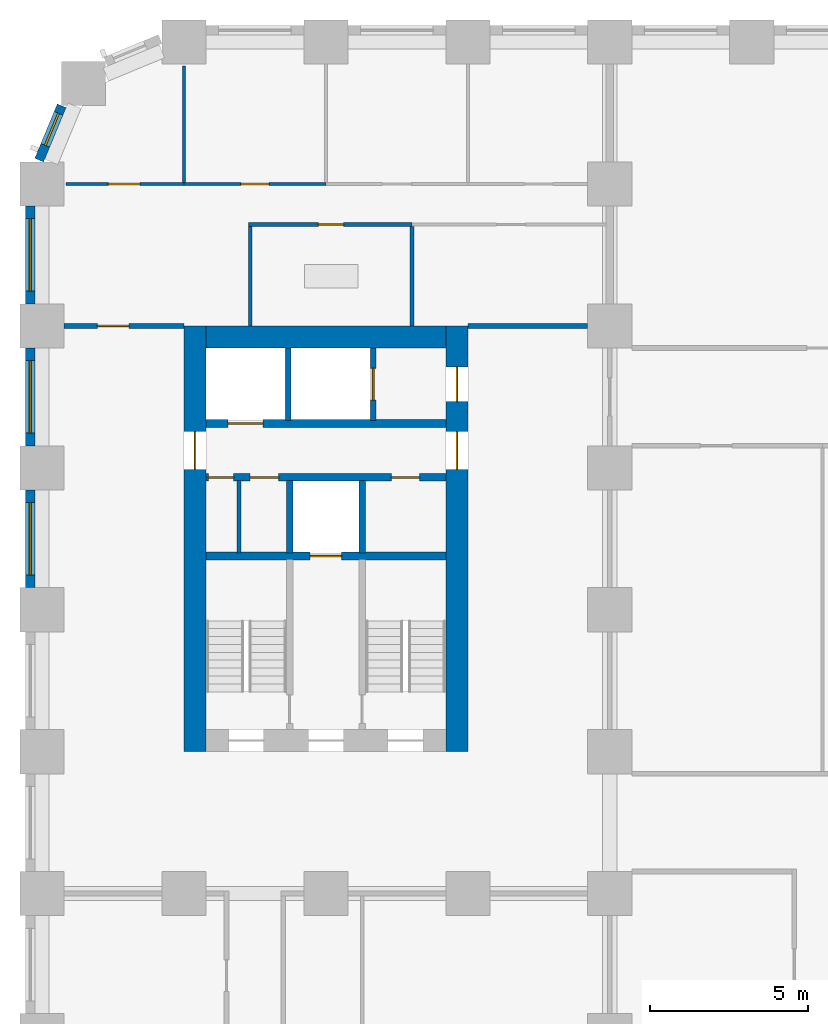
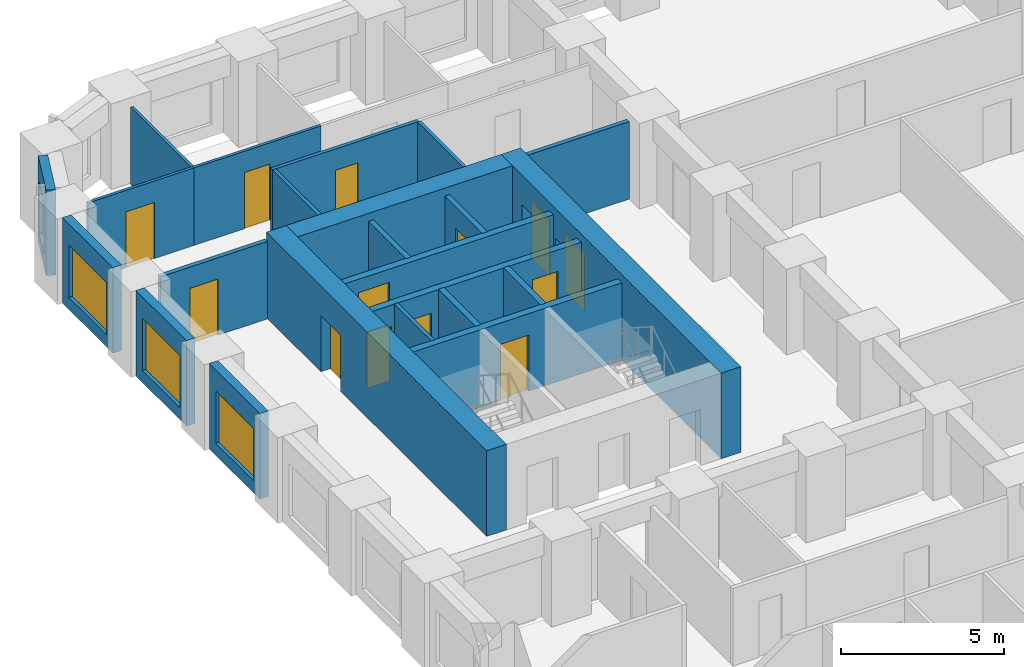
# One storey, part 6 of 12: 23 walls, 13 doors, 4 windows, 17 openings.
"""IFC4 building model written with IfcOpenShell, lengths in metres."""

from ifc_helpers import new_model, si_unit, direction, frame, frame_2d, origin, place, context, subcontext, project, spatial, rectangle, extrude, material, layer, layer_set, type_object, element, fill, save


model = new_model("IFC4")

# Units and contexts
model_context = context("Model", 3, precision=1e-05, world=origin(), true_north=direction((0.0, 1.0)))
body_context = subcontext(model_context, "Body", "Model", "MODEL_VIEW")
ifc_project = project(units=[si_unit("LENGTHUNIT", "METRE"), si_unit("AREAUNIT", "SQUARE_METRE"), si_unit("VOLUMEUNIT", "CUBIC_METRE"), si_unit("PLANEANGLEUNIT", "RADIAN"), si_unit("MASSUNIT", "GRAM", prefix="KILO")], contexts=[model_context])

# Site, building, storey
site_placement = place(None, origin())
site = spatial("IfcSite", under=ifc_project, at=site_placement, CompositionType="ELEMENT")
building_placement = place(site_placement, origin())
building = spatial("IfcBuilding", under=site, at=building_placement, Name="Girih Gate Residences", CompositionType="ELEMENT")
storey_placement = place(building_placement, frame((0.0, 0.0, 30.39990234375)))
storey = spatial("IfcBuildingStorey", under=building, at=storey_placement, Name="L06", CompositionType="ELEMENT", Elevation=30.39990234375)

# Wall, opening, door
ifc_material_1 = material(Name="Gypsum board on steel studs", Category="steel")
ifc_layer_1 = layer(ifc_material_1, 0.14990234375)
ifc_layer_set_1 = layer_set([ifc_layer_1], Name="Compartment wall 150 mm")
wall_type_1 = type_object("IfcWallType", Name="Compartment wall 150 mm", PredefinedType="PARTITIONING", material=ifc_layer_set_1)
wall_1_placement = place(storey_placement, frame((0.699951171875, 40.5, 0.0), z_axis=(0.0, 0.0, 1.0), x_axis=(1.0, 0.0, 0.0)))
wall_1 = element("IfcWall", 1, at=wall_1_placement, inside=storey, type_object=wall_type_1, Name="L06 partition", PredefinedType="PARTITIONING", context=body_context, shape_type="SweptSolid", body=[
    extrude(rectangle(XDim=3.800048828125, YDim=0.14990234375, at=frame_2d((1.89990234375, 0.0))), origin(), (0.0, 0.0, 1.0), 2.900146484375),
])
opening_1_placement = place(wall_1_placement, frame((1.050048828125, 0.0, 0.0)))
opening_1 = element("IfcOpeningElement", 2, at=opening_1_placement, cuts=wall_1, Name="Opening A06-014", PredefinedType="OPENING", context=body_context, shape_type="SweptSolid", body=[
    extrude(rectangle(XDim=1.0, YDim=2.10009765625, at=frame_2d((0.5, 1.050048828125))), frame((0.0, 0.0849609375, 0.0), z_axis=(0.0, -1.0, 0.0), x_axis=(1.0, 0.0, 0.0)), (0.0, 0.0, 1.0), 0.169921875),
])
ifc_material_2 = material(Name="Timber, fire-rated core", Category="wood")
door_type_1 = type_object("IfcDoorType", Name="Flat entrance door 1000x2100 FD30S", OperationType="NOTDEFINED", PredefinedType="DOOR", material=ifc_material_2)
door_1_placement = place(opening_1_placement, origin())
door_1 = element("IfcDoor", 3, at=door_1_placement, inside=storey, type_object=door_type_1, Name="Door A06-014", OperationType="SINGLE_SWING_LEFT", OverallHeight=2.10009765625, OverallWidth=1.0, PredefinedType="DOOR", context=body_context, shape_type="SweptSolid", body=[
    extrude(rectangle(XDim=1.0, YDim=2.10009765625, at=frame_2d((0.5, 1.050048828125))), frame((0.0, 0.02490234375, 0.0), z_axis=(0.0, -1.0, 0.0), x_axis=(1.0, 0.0, 0.0)), (0.0, 0.0, 1.0), 0.050048828125),
])
fill(opening_1, door_1)

# Walls
wall_2_placement = place(storey_placement, frame((13.5, 40.5, 0.0), z_axis=(0.0, 0.0, 1.0), x_axis=(1.0, 0.0, 0.0)))
element("IfcWall", 4, at=wall_2_placement, inside=storey, type_object=wall_type_1, Name="L06 partition", PredefinedType="PARTITIONING", context=body_context, shape_type="SweptSolid", body=[
    extrude(rectangle(XDim=3.800048828125, YDim=0.14990234375, at=frame_2d((1.89990234375, 0.0))), origin(), (0.0, 0.0, 1.0), 2.900146484375),
])
ifc_material_3 = material(Name="Concrete C60/75", Category="concrete")
ifc_layer_2 = layer(ifc_material_3, 0.699951171875)
ifc_layer_set_2 = layer_set([ifc_layer_2], Name="Core wall RC 700 Concrete C60/75")
wall_type_2 = type_object("IfcWallType", Name="Core wall RC 700 Concrete C60/75", PredefinedType="SOLIDWALL", material=ifc_layer_set_2)
wall_3_placement = place(storey_placement, frame((5.199951171875, 40.14990234375, 0.0), z_axis=(0.0, 0.0, 1.0), x_axis=(1.0, 0.0, 0.0)))
element("IfcWall", 5, at=wall_3_placement, inside=storey, type_object=wall_type_2, Name="Core wall W-N L06", PredefinedType="SOLIDWALL", context=body_context, shape_type="SweptSolid", body=[
    extrude(rectangle(XDim=7.60009765625, YDim=0.699951171875, at=frame_2d((3.800048828125, 0.0))), origin(), (0.0, 0.0, 1.0), 3.2001953125),
])

# Wall, opening, door
wall_4_placement = place(storey_placement, frame((4.85009765625, 27.0, 0.0), z_axis=(0.0, 0.0, 1.0), x_axis=(0.0, 1.0, 0.0)))
wall_4 = element("IfcWall", 6, at=wall_4_placement, inside=storey, type_object=wall_type_2, Name="Core wall W-W L06", PredefinedType="SOLIDWALL", context=body_context, shape_type="SweptSolid", body=[
    extrude(rectangle(XDim=13.5, YDim=0.699951171875, at=frame_2d((6.75, 0.0))), origin(), (0.0, 0.0, 1.0), 3.2001953125),
])
opening_2_placement = place(wall_4_placement, frame((8.949951171875, 0.0, 0.0)))
opening_2 = element("IfcOpeningElement", 7, at=opening_2_placement, cuts=wall_4, Name="Opening D-L06-W-013", PredefinedType="OPENING", context=body_context, shape_type="SweptSolid", body=[
    extrude(rectangle(XDim=1.199951171875, YDim=2.10009765625, at=frame_2d((0.60009765625, 1.050048828125))), frame((0.0, 0.35986328125, 0.0), z_axis=(0.0, -1.0, 0.0), x_axis=(1.0, 0.0, 0.0)), (0.0, 0.0, 1.0), 0.719970703125),
])
ifc_material_4 = material(Name="Painted steel, fire-resisting", Category="steel")
door_type_2 = type_object("IfcDoorType", Name="Fire door 1200x2100", OperationType="SINGLE_SWING_LEFT", PredefinedType="DOOR", material=ifc_material_4)
door_2_placement = place(opening_2_placement, origin())
door_2 = element("IfcDoor", 8, at=door_2_placement, inside=storey, type_object=door_type_2, Name="L06 W core door ll-w", OperationType="SINGLE_SWING_LEFT", OverallHeight=2.10009765625, OverallWidth=1.199951171875, PredefinedType="DOOR", context=body_context, shape_type="SweptSolid", body=[
    extrude(rectangle(XDim=1.199951171875, YDim=2.10009765625, at=frame_2d((0.60009765625, 1.050048828125))), frame((0.0, 0.02490234375, 0.0), z_axis=(0.0, -1.0, 0.0), x_axis=(1.0, 0.0, 0.0)), (0.0, 0.0, 1.0), 0.050048828125),
])
fill(opening_2, door_2)

# Wall, openings, doors
wall_5_placement = place(storey_placement, frame((13.14990234375, 27.0, 0.0), z_axis=(0.0, 0.0, 1.0), x_axis=(0.0, 1.0, 0.0)))
wall_5 = element("IfcWall", 9, at=wall_5_placement, inside=storey, type_object=wall_type_2, Name="Core wall W-E L06", PredefinedType="SOLIDWALL", context=body_context, shape_type="SweptSolid", body=[
    extrude(rectangle(XDim=13.5, YDim=0.699951171875, at=frame_2d((6.75, 0.0))), origin(), (0.0, 0.0, 1.0), 3.2001953125),
])
opening_3_placement = place(wall_5_placement, frame((11.10009765625, 0.0, 0.0)))
opening_3 = element("IfcOpeningElement", 10, at=opening_3_placement, cuts=wall_5, Name="Opening D-L06-W-012", PredefinedType="OPENING", context=body_context, shape_type="SweptSolid", body=[
    extrude(rectangle(XDim=1.10009765625, YDim=2.10009765625, at=frame_2d((0.550048828125, 1.050048828125))), frame((0.0, 0.35986328125, 0.0), z_axis=(0.0, -1.0, 0.0), x_axis=(1.0, 0.0, 0.0)), (0.0, 0.0, 1.0), 0.719970703125),
])
opening_4_placement = place(wall_5_placement, frame((8.949951171875, 0.0, 0.0)))
opening_4 = element("IfcOpeningElement", 11, at=opening_4_placement, cuts=wall_5, Name="Opening D-L06-W-014", PredefinedType="OPENING", context=body_context, shape_type="SweptSolid", body=[
    extrude(rectangle(XDim=1.199951171875, YDim=2.10009765625, at=frame_2d((0.60009765625, 1.050048828125))), frame((0.0, 0.35986328125, 0.0), z_axis=(0.0, -1.0, 0.0), x_axis=(1.0, 0.0, 0.0)), (0.0, 0.0, 1.0), 0.719970703125),
])
door_type_3 = type_object("IfcDoorType", Name="Fire door 1100x2100", OperationType="SINGLE_SWING_LEFT", PredefinedType="DOOR", material=ifc_material_4)
door_3_placement = place(opening_3_placement, origin())
door_3 = element("IfcDoor", 12, at=door_3_placement, inside=storey, type_object=door_type_3, Name="L06 W core door ffl2-e", OperationType="SINGLE_SWING_LEFT", OverallHeight=2.10009765625, OverallWidth=1.10009765625, PredefinedType="DOOR", context=body_context, shape_type="SweptSolid", body=[
    extrude(rectangle(XDim=1.10009765625, YDim=2.10009765625, at=frame_2d((0.550048828125, 1.050048828125))), frame((0.0, 0.02490234375, 0.0), z_axis=(0.0, -1.0, 0.0), x_axis=(1.0, 0.0, 0.0)), (0.0, 0.0, 1.0), 0.050048828125),
])
fill(opening_3, door_3)
door_4_placement = place(opening_4_placement, origin())
door_4 = element("IfcDoor", 13, at=door_4_placement, inside=storey, type_object=door_type_2, Name="L06 W core door ll-e", OperationType="SINGLE_SWING_LEFT", OverallHeight=2.10009765625, OverallWidth=1.199951171875, PredefinedType="DOOR", context=body_context, shape_type="SweptSolid", body=[
    extrude(rectangle(XDim=1.199951171875, YDim=2.10009765625, at=frame_2d((0.60009765625, 1.050048828125))), frame((0.0, 0.02490234375, 0.0), z_axis=(0.0, -1.0, 0.0), x_axis=(1.0, 0.0, 0.0)), (0.0, 0.0, 1.0), 0.050048828125),
])
fill(opening_4, door_4)

# Wall, opening, door
ifc_material_5 = material(Name="Concrete C40/50", Category="concrete")
ifc_layer_3 = layer(ifc_material_5, 0.25)
ifc_layer_set_3 = layer_set([ifc_layer_3], Name="Lift shaft wall 250")
wall_type_3 = type_object("IfcWallType", Name="Lift shaft wall 250", PredefinedType="SOLIDWALL", material=ifc_layer_set_3)
wall_6_placement = place(storey_placement, frame((5.199951171875, 33.199951171875, 0.0), z_axis=(0.0, 0.0, 1.0), x_axis=(1.0, 0.0, 0.0)))
wall_6 = element("IfcWall", 14, at=wall_6_placement, inside=storey, type_object=wall_type_3, Name="L06 W core wall H1", PredefinedType="SOLIDWALL", context=body_context, shape_type="SweptSolid", body=[
    extrude(rectangle(XDim=7.60009765625, YDim=0.25, at=frame_2d((3.800048828125, 0.0))), origin(), (0.0, 0.0, 1.0), 2.900146484375),
])
opening_5_placement = place(wall_6_placement, frame((3.300048828125, 0.0, 0.0)))
opening_5 = element("IfcOpeningElement", 15, at=opening_5_placement, cuts=wall_6, Name="Opening D-L06-W-005", PredefinedType="OPENING", context=body_context, shape_type="SweptSolid", body=[
    extrude(rectangle(XDim=1.0, YDim=2.10009765625, at=frame_2d((0.5, 1.050048828125))), frame((0.0, 0.135009765625, 0.0), z_axis=(0.0, -1.0, 0.0), x_axis=(1.0, 0.0, 0.0)), (0.0, 0.0, 1.0), 0.27001953125),
])
ifc_material_6 = material(Name="Stainless steel, fire-resisting", Category="steel")
door_type_4 = type_object("IfcDoorType", Name="Firefighting lift landing door 1000x2100", OperationType="SLIDING_TO_LEFT", PredefinedType="DOOR", material=ifc_material_6)
door_5_placement = place(opening_5_placement, origin())
door_5 = element("IfcDoor", 16, at=door_5_placement, inside=storey, type_object=door_type_4, Name="L06 lift FF-W landing door", OperationType="SLIDING_TO_LEFT", OverallHeight=2.10009765625, OverallWidth=1.0, PredefinedType="DOOR", context=body_context, shape_type="SweptSolid", body=[
    extrude(rectangle(XDim=1.0, YDim=2.10009765625, at=frame_2d((0.5, 1.050048828125))), frame((0.0, 0.02490234375, 0.0), z_axis=(0.0, -1.0, 0.0), x_axis=(1.0, 0.0, 0.0)), (0.0, 0.0, 1.0), 0.050048828125),
])
fill(opening_5, door_5)

# Wall, openings, doors
wall_7_placement = place(storey_placement, frame((5.199951171875, 35.699951171875, 0.0), z_axis=(0.0, 0.0, 1.0), x_axis=(1.0, 0.0, 0.0)))
wall_7 = element("IfcWall", 17, at=wall_7_placement, inside=storey, type_object=wall_type_3, Name="L06 W core wall H2", PredefinedType="SOLIDWALL", context=body_context, shape_type="SweptSolid", body=[
    extrude(rectangle(XDim=7.60009765625, YDim=0.25, at=frame_2d((3.800048828125, 0.0))), origin(), (0.0, 0.0, 1.0), 2.900146484375),
])
opening_6_placement = place(wall_7_placement, frame((0.074951171875, 0.0, 0.0)))
opening_6 = element("IfcOpeningElement", 18, at=opening_6_placement, cuts=wall_7, Name="Opening D-L06-W-006", PredefinedType="OPENING", context=body_context, shape_type="SweptSolid", body=[
    extrude(rectangle(XDim=0.800048828125, YDim=2.10009765625, at=frame_2d((0.39990234375, 1.050048828125))), frame((0.0, 0.135009765625, 0.0), z_axis=(0.0, -1.0, 0.0), x_axis=(1.0, 0.0, 0.0)), (0.0, 0.0, 1.0), 0.27001953125),
])
opening_7_placement = place(wall_7_placement, frame((1.39990234375, 0.0, 0.0)))
opening_7 = element("IfcOpeningElement", 19, at=opening_7_placement, cuts=wall_7, Name="Opening D-L06-W-007", PredefinedType="OPENING", context=body_context, shape_type="SweptSolid", body=[
    extrude(rectangle(XDim=0.89990234375, YDim=2.10009765625, at=frame_2d((0.449951171875, 1.050048828125))), frame((0.0, 0.135009765625, 0.0), z_axis=(0.0, -1.0, 0.0), x_axis=(1.0, 0.0, 0.0)), (0.0, 0.0, 1.0), 0.27001953125),
])
opening_8_placement = place(wall_7_placement, frame((5.875, 0.0, 0.0)))
opening_8 = element("IfcOpeningElement", 20, at=opening_8_placement, cuts=wall_7, Name="Opening D-L06-W-008", PredefinedType="OPENING", context=body_context, shape_type="SweptSolid", body=[
    extrude(rectangle(XDim=0.89990234375, YDim=2.10009765625, at=frame_2d((0.449951171875, 1.050048828125))), frame((0.0, 0.135009765625, 0.0), z_axis=(0.0, -1.0, 0.0), x_axis=(1.0, 0.0, 0.0)), (0.0, 0.0, 1.0), 0.27001953125),
])
door_type_5 = type_object("IfcDoorType", Name="Fire door 800x2100", OperationType="SINGLE_SWING_LEFT", PredefinedType="DOOR", material=ifc_material_4)
door_6_placement = place(opening_6_placement, origin())
door_6 = element("IfcDoor", 21, at=door_6_placement, inside=storey, type_object=door_type_5, Name="L06 W comms room door", OperationType="SINGLE_SWING_LEFT", OverallHeight=2.10009765625, OverallWidth=0.800048828125, PredefinedType="DOOR", context=body_context, shape_type="SweptSolid", body=[
    extrude(rectangle(XDim=0.800048828125, YDim=2.10009765625, at=frame_2d((0.39990234375, 1.050048828125))), frame((0.0, 0.02490234375, 0.0), z_axis=(0.0, -1.0, 0.0), x_axis=(1.0, 0.0, 0.0)), (0.0, 0.0, 1.0), 0.050048828125),
])
fill(opening_6, door_6)
door_type_6 = type_object("IfcDoorType", Name="Fire door 900x2100", OperationType="SINGLE_SWING_LEFT", PredefinedType="DOOR", material=ifc_material_4)
door_7_placement = place(opening_7_placement, origin())
door_7 = element("IfcDoor", 22, at=door_7_placement, inside=storey, type_object=door_type_6, Name="L06 W linen store door", OperationType="SINGLE_SWING_LEFT", OverallHeight=2.10009765625, OverallWidth=0.89990234375, PredefinedType="DOOR", context=body_context, shape_type="SweptSolid", body=[
    extrude(rectangle(XDim=0.89990234375, YDim=2.10009765625, at=frame_2d((0.449951171875, 1.050048828125))), frame((0.0, 0.02490234375, 0.0), z_axis=(0.0, -1.0, 0.0), x_axis=(1.0, 0.0, 0.0)), (0.0, 0.0, 1.0), 0.050048828125),
])
fill(opening_7, door_7)
door_8_placement = place(opening_8_placement, origin())
door_8 = element("IfcDoor", 23, at=door_8_placement, inside=storey, type_object=door_type_6, Name="L06 W cleaners store door", OperationType="SINGLE_SWING_LEFT", OverallHeight=2.10009765625, OverallWidth=0.89990234375, PredefinedType="DOOR", context=body_context, shape_type="SweptSolid", body=[
    extrude(rectangle(XDim=0.89990234375, YDim=2.10009765625, at=frame_2d((0.449951171875, 1.050048828125))), frame((0.0, 0.02490234375, 0.0), z_axis=(0.0, -1.0, 0.0), x_axis=(1.0, 0.0, 0.0)), (0.0, 0.0, 1.0), 0.050048828125),
])
fill(opening_8, door_8)

# Wall, opening, door
wall_8_placement = place(storey_placement, frame((5.199951171875, 37.39990234375, 0.0), z_axis=(0.0, 0.0, 1.0), x_axis=(1.0, 0.0, 0.0)))
wall_8 = element("IfcWall", 24, at=wall_8_placement, inside=storey, type_object=wall_type_3, Name="L06 W core wall H3", PredefinedType="SOLIDWALL", context=body_context, shape_type="SweptSolid", body=[
    extrude(rectangle(XDim=7.60009765625, YDim=0.25, at=frame_2d((3.800048828125, 0.0))), origin(), (0.0, 0.0, 1.0), 2.900146484375),
])
opening_9_placement = place(wall_8_placement, frame((0.699951171875, 0.0, 0.0)))
opening_9 = element("IfcOpeningElement", 25, at=opening_9_placement, cuts=wall_8, Name="Opening D-L06-W-003", PredefinedType="OPENING", context=body_context, shape_type="SweptSolid", body=[
    extrude(rectangle(XDim=1.10009765625, YDim=2.39990234375, at=frame_2d((0.550048828125, 1.199951171875))), frame((0.0, 0.135009765625, 0.0), z_axis=(0.0, -1.0, 0.0), x_axis=(1.0, 0.0, 0.0)), (0.0, 0.0, 1.0), 0.27001953125),
])
ifc_material_7 = material(Name="Stainless steel", Category="steel")
door_type_7 = type_object("IfcDoorType", Name="Lift landing door 1100x2400", OperationType="SLIDING_TO_LEFT", PredefinedType="DOOR", material=ifc_material_7)
door_9_placement = place(opening_9_placement, origin())
door_9 = element("IfcDoor", 26, at=door_9_placement, inside=storey, type_object=door_type_7, Name="L06 lift LR-W1 landing door", OperationType="SLIDING_TO_LEFT", OverallHeight=2.39990234375, OverallWidth=1.10009765625, PredefinedType="DOOR", context=body_context, shape_type="SweptSolid", body=[
    extrude(rectangle(XDim=1.10009765625, YDim=2.39990234375, at=frame_2d((0.550048828125, 1.199951171875))), frame((0.0, 0.02490234375, 0.0), z_axis=(0.0, -1.0, 0.0), x_axis=(1.0, 0.0, 0.0)), (0.0, 0.0, 1.0), 0.050048828125),
])
fill(opening_9, door_9)

ifc_layer_4 = layer(ifc_material_1, 0.10009765625)
ifc_layer_set_4 = layer_set([ifc_layer_4], Name="Partition 100 mm")
wall_type_4 = type_object("IfcWallType", Name="Partition 100 mm", PredefinedType="PARTITIONING", material=ifc_layer_set_4)
wall_9_placement = place(storey_placement, frame((4.5, 45.0, 0.0), z_axis=(0.0, 0.0, 1.0), x_axis=(1.0, 0.0, 0.0)))
wall_9 = element("IfcWall", 27, at=wall_9_placement, inside=storey, type_object=wall_type_4, Name="L06 partition", PredefinedType="PARTITIONING", context=body_context, shape_type="SweptSolid", body=[
    extrude(rectangle(XDim=4.5, YDim=0.10009765625, at=frame_2d((2.25, 0.0))), origin(), (0.0, 0.0, 1.0), 2.900146484375),
])
opening_10_placement = place(wall_9_placement, frame((1.800048828125, 0.0, 0.0)))
opening_10 = element("IfcOpeningElement", 28, at=opening_10_placement, cuts=wall_9, Name="Opening A06-009", PredefinedType="OPENING", context=body_context, shape_type="SweptSolid", body=[
    extrude(rectangle(XDim=0.89990234375, YDim=2.10009765625, at=frame_2d((0.449951171875, 1.050048828125))), frame((0.0, 0.06005859375, 0.0), z_axis=(0.0, -1.0, 0.0), x_axis=(1.0, 0.0, 0.0)), (0.0, 0.0, 1.0), 0.1201171875),
])
ifc_material_8 = material(Name="Timber", Category="wood")
door_type_8 = type_object("IfcDoorType", Name="Bedroom door 900x2100", OperationType="NOTDEFINED", PredefinedType="DOOR", material=ifc_material_8)
door_10_placement = place(opening_10_placement, origin())
door_10 = element("IfcDoor", 29, at=door_10_placement, inside=storey, type_object=door_type_8, Name="Door A06-009", OperationType="SINGLE_SWING_RIGHT", OverallHeight=2.10009765625, OverallWidth=0.89990234375, PredefinedType="DOOR", context=body_context, shape_type="SweptSolid", body=[
    extrude(rectangle(XDim=0.89990234375, YDim=2.10009765625, at=frame_2d((0.449951171875, 1.050048828125))), frame((0.0, 0.02490234375, 0.0), z_axis=(0.0, -1.0, 0.0), x_axis=(1.0, 0.0, 0.0)), (0.0, 0.0, 1.0), 0.050048828125),
])
fill(opening_10, door_10)

# Wall
wall_10_placement = place(storey_placement, frame((4.5, 45.050048828125, 0.0), z_axis=(0.0, 0.0, 1.0), x_axis=(0.0, 1.0, 0.0)))
element("IfcWall", 30, at=wall_10_placement, inside=storey, type_object=wall_type_4, Name="L06 partition", PredefinedType="PARTITIONING", context=body_context, shape_type="SweptSolid", body=[
    extrude(rectangle(XDim=3.6923828125, YDim=0.10009765625, at=frame_2d((1.84619140625, 0.0))), origin(), (0.0, 0.0, 1.0), 2.900146484375),
])

# Wall, opening, door
wall_11_placement = place(storey_placement, frame((0.757568359375, 45.0, 0.0), z_axis=(0.0, 0.0, 1.0), x_axis=(1.0, 0.0, 0.0)))
wall_11 = element("IfcWall", 31, at=wall_11_placement, inside=storey, type_object=wall_type_4, Name="L06 partition", PredefinedType="PARTITIONING", context=body_context, shape_type="SweptSolid", body=[
    extrude(rectangle(XDim=3.742431640625, YDim=0.10009765625, at=frame_2d((1.87109375, 0.0))), origin(), (0.0, 0.0, 1.0), 2.900146484375),
])
opening_11_placement = place(wall_11_placement, frame((1.34228515625, 0.0, 0.0)))
opening_11 = element("IfcOpeningElement", 32, at=opening_11_placement, cuts=wall_11, Name="Opening A06-013", PredefinedType="OPENING", context=body_context, shape_type="SweptSolid", body=[
    extrude(rectangle(XDim=1.0, YDim=2.10009765625, at=frame_2d((0.5, 1.050048828125))), frame((0.0, 0.06005859375, 0.0), z_axis=(0.0, -1.0, 0.0), x_axis=(1.0, 0.0, 0.0)), (0.0, 0.0, 1.0), 0.1201171875),
])
door_type_9 = type_object("IfcDoorType", Name="Living room door 1000x2100", OperationType="NOTDEFINED", PredefinedType="DOOR", material=ifc_material_8)
door_11_placement = place(opening_11_placement, origin())
door_11 = element("IfcDoor", 33, at=door_11_placement, inside=storey, type_object=door_type_9, Name="Door A06-013", OperationType="SINGLE_SWING_LEFT", OverallHeight=2.10009765625, OverallWidth=1.0, PredefinedType="DOOR", context=body_context, shape_type="SweptSolid", body=[
    extrude(rectangle(XDim=1.0, YDim=2.10009765625, at=frame_2d((0.5, 1.050048828125))), frame((0.0, 0.02490234375, 0.0), z_axis=(0.0, -1.0, 0.0), x_axis=(1.0, 0.0, 0.0)), (0.0, 0.0, 1.0), 0.050048828125),
])
fill(opening_11, door_11)

# Wall, opening, window
ifc_material_9 = material(Name="Precast concrete C50/60", Category="concrete")
ifc_layer_5 = layer(ifc_material_9, 0.080078125, Name="Outer leaf")
ifc_material_10 = material(Name="Rigid PIR insulation")
ifc_layer_6 = layer(ifc_material_10, 0.14990234375, Name="Insulation")
ifc_material_11 = material(Name="Precast concrete C40/50", Category="concrete")
ifc_layer_7 = layer(ifc_material_11, 0.070068359375, Name="Inner leaf")
ifc_layer_set_5 = layer_set([ifc_layer_5, ifc_layer_6, ifc_layer_7], Name="Precast concrete C50/60 external wall 300")
wall_type_5 = type_object("IfcWallType", Name="Precast concrete C50/60 external wall 300", PredefinedType="SOLIDWALL", material=ifc_layer_set_5)
wall_12_placement = place(storey_placement, frame((-0.09228515625, 45.75732421875, 0.0), z_axis=(0.0, 0.0, 1.0), x_axis=(0.382737135771, 0.923857286003, 0.0)))
wall_12 = element("IfcWall", 34, at=wall_12_placement, inside=storey, type_object=wall_type_5, Name="External wall NW0013_0482.0", PredefinedType="SOLIDWALL", context=body_context, shape_type="SweptSolid", body=[
    extrude(rectangle(XDim=1.865234375, YDim=0.300048828125, at=frame_2d((0.9326171875, 0.0))), origin(), (0.0, 0.0, 1.0), 3.2001953125),
])
opening_12_placement = place(wall_12_placement, frame((0.507568359375, 0.0, 0.449951171875)))
opening_12 = element("IfcOpeningElement", 35, at=opening_12_placement, cuts=wall_12, Name="Opening W-2C", PredefinedType="OPENING", context=body_context, shape_type="SweptSolid", body=[
    extrude(rectangle(XDim=1.10009765625, YDim=1.949951171875, at=frame_2d((0.550048828125, 0.97509765625))), frame((0.0, 0.159912109375, 0.0), z_axis=(0.0, -1.0, 0.0), x_axis=(1.0, 0.0, 0.0)), (0.0, 0.0, 1.0), 0.320068359375),
])
ifc_material_12 = material(Name="Double glazing in aluminium frame", Category="aluminium")
window_type_1 = type_object("IfcWindowType", Name="Window W-2C 1100x1950", PartitioningType="SINGLE_PANEL", PredefinedType="WINDOW", material=ifc_material_12)
window_1_placement = place(opening_12_placement, origin())
window_1 = element("IfcWindow", 36, at=window_1_placement, inside=storey, type_object=window_type_1, Name="Window W-2C NW0013_0482.0", OverallHeight=1.949951171875, OverallWidth=1.10009765625, PartitioningType="SINGLE_PANEL", PredefinedType="WINDOW", context=body_context, shape_type="SweptSolid", body=[
    extrude(rectangle(XDim=1.10009765625, YDim=1.949951171875, at=frame_2d((0.550048828125, 0.97509765625))), frame((0.0, 0.030029296875, 0.0), z_axis=(0.0, -1.0, 0.0), x_axis=(1.0, 0.0, 0.0)), (0.0, 0.0, 1.0), 0.06005859375),
])
fill(opening_12, window_1)

wall_13_placement = place(storey_placement, frame((-0.375, 41.199951171875, 0.0), z_axis=(0.0, 0.0, 1.0), x_axis=(0.0, 1.0, 0.0)))
wall_13 = element("IfcWall", 37, at=wall_13_placement, inside=storey, type_object=wall_type_5, Name="External wall W0000_0450.0", PredefinedType="SOLIDWALL", context=body_context, shape_type="SweptSolid", body=[
    extrude(rectangle(XDim=3.10009765625, YDim=0.300048828125, at=frame_2d((1.550048828125, 0.0))), origin(), (0.0, 0.0, 1.0), 3.2001953125),
])
opening_13_placement = place(wall_13_placement, frame((0.39990234375, 0.0, 0.449951171875)))
opening_13 = element("IfcOpeningElement", 38, at=opening_13_placement, cuts=wall_13, Name="Opening W-1", PredefinedType="OPENING", context=body_context, shape_type="SweptSolid", body=[
    extrude(rectangle(XDim=2.300048828125, YDim=1.949951171875, at=frame_2d((1.14990234375, 0.97509765625))), frame((0.0, 0.159912109375, 0.0), z_axis=(0.0, -1.0, 0.0), x_axis=(1.0, 0.0, 0.0)), (0.0, 0.0, 1.0), 0.320068359375),
])
window_type_2 = type_object("IfcWindowType", Name="Window W-1 2300x1950", PartitioningType="SINGLE_PANEL", PredefinedType="WINDOW", material=ifc_material_12)
window_2_placement = place(opening_13_placement, origin())
window_2 = element("IfcWindow", 39, at=window_2_placement, inside=storey, type_object=window_type_2, Name="Window W-1 W0000_0450.0", OverallHeight=1.949951171875, OverallWidth=2.300048828125, PartitioningType="SINGLE_PANEL", PredefinedType="WINDOW", context=body_context, shape_type="SweptSolid", body=[
    extrude(rectangle(XDim=2.300048828125, YDim=1.949951171875, at=frame_2d((1.14990234375, 0.97509765625))), frame((0.0, 0.030029296875, 0.0), z_axis=(0.0, -1.0, 0.0), x_axis=(1.0, 0.0, 0.0)), (0.0, 0.0, 1.0), 0.06005859375),
])
fill(opening_13, window_2)

wall_14_placement = place(storey_placement, frame((-0.375, 36.699951171875, 0.0), z_axis=(0.0, 0.0, 1.0), x_axis=(0.0, 1.0, 0.0)))
wall_14 = element("IfcWall", 40, at=wall_14_placement, inside=storey, type_object=wall_type_5, Name="External wall W0000_0450.1", PredefinedType="SOLIDWALL", context=body_context, shape_type="SweptSolid", body=[
    extrude(rectangle(XDim=3.10009765625, YDim=0.300048828125, at=frame_2d((1.550048828125, 0.0))), origin(), (0.0, 0.0, 1.0), 3.2001953125),
])
opening_14_placement = place(wall_14_placement, frame((0.39990234375, 0.0, 0.449951171875)))
opening_14 = element("IfcOpeningElement", 41, at=opening_14_placement, cuts=wall_14, Name="Opening W-1", PredefinedType="OPENING", context=body_context, shape_type="SweptSolid", body=[
    extrude(rectangle(XDim=2.300048828125, YDim=1.949951171875, at=frame_2d((1.14990234375, 0.97509765625))), frame((0.0, 0.159912109375, 0.0), z_axis=(0.0, -1.0, 0.0), x_axis=(1.0, 0.0, 0.0)), (0.0, 0.0, 1.0), 0.320068359375),
])
window_3_placement = place(opening_14_placement, origin())
window_3 = element("IfcWindow", 42, at=window_3_placement, inside=storey, type_object=window_type_2, Name="Window W-1 W0000_0450.1", OverallHeight=1.949951171875, OverallWidth=2.300048828125, PartitioningType="SINGLE_PANEL", PredefinedType="WINDOW", context=body_context, shape_type="SweptSolid", body=[
    extrude(rectangle(XDim=2.300048828125, YDim=1.949951171875, at=frame_2d((1.14990234375, 0.97509765625))), frame((0.0, 0.030029296875, 0.0), z_axis=(0.0, -1.0, 0.0), x_axis=(1.0, 0.0, 0.0)), (0.0, 0.0, 1.0), 0.06005859375),
])
fill(opening_14, window_3)

wall_15_placement = place(storey_placement, frame((-0.375, 32.199951171875, 0.0), z_axis=(0.0, 0.0, 1.0), x_axis=(0.0, 1.0, 0.0)))
wall_15 = element("IfcWall", 43, at=wall_15_placement, inside=storey, type_object=wall_type_5, Name="External wall W0000_0450.2", PredefinedType="SOLIDWALL", context=body_context, shape_type="SweptSolid", body=[
    extrude(rectangle(XDim=3.10009765625, YDim=0.300048828125, at=frame_2d((1.550048828125, 0.0))), origin(), (0.0, 0.0, 1.0), 3.2001953125),
])
opening_15_placement = place(wall_15_placement, frame((0.39990234375, 0.0, 0.449951171875)))
opening_15 = element("IfcOpeningElement", 44, at=opening_15_placement, cuts=wall_15, Name="Opening W-1", PredefinedType="OPENING", context=body_context, shape_type="SweptSolid", body=[
    extrude(rectangle(XDim=2.300048828125, YDim=1.949951171875, at=frame_2d((1.14990234375, 0.97509765625))), frame((0.0, 0.159912109375, 0.0), z_axis=(0.0, -1.0, 0.0), x_axis=(1.0, 0.0, 0.0)), (0.0, 0.0, 1.0), 0.320068359375),
])
window_4_placement = place(opening_15_placement, origin())
window_4 = element("IfcWindow", 45, at=window_4_placement, inside=storey, type_object=window_type_2, Name="Window W-1 W0000_0450.2", OverallHeight=1.949951171875, OverallWidth=2.300048828125, PartitioningType="SINGLE_PANEL", PredefinedType="WINDOW", context=body_context, shape_type="SweptSolid", body=[
    extrude(rectangle(XDim=2.300048828125, YDim=1.949951171875, at=frame_2d((1.14990234375, 0.97509765625))), frame((0.0, 0.030029296875, 0.0), z_axis=(0.0, -1.0, 0.0), x_axis=(1.0, 0.0, 0.0)), (0.0, 0.0, 1.0), 0.06005859375),
])
fill(opening_15, window_4)

# Wall
ifc_layer_8 = layer(ifc_material_5, 0.175048828125)
ifc_layer_set_6 = layer_set([ifc_layer_8], Name="Riser shaft wall 175")
wall_type_6 = type_object("IfcWallType", Name="Riser shaft wall 175", PredefinedType="SOLIDWALL", material=ifc_layer_set_6)
wall_16_placement = place(storey_placement, frame((7.800048828125, 37.5, 0.0), z_axis=(0.0, 0.0, 1.0), x_axis=(0.0, 1.0, 0.0)))
element("IfcWall", 46, at=wall_16_placement, inside=storey, type_object=wall_type_6, Name="L06 W core wall V1c", PredefinedType="SOLIDWALL", context=body_context, shape_type="SweptSolid", body=[
    extrude(rectangle(XDim=2.300048828125, YDim=0.175048828125, at=frame_2d((1.14990234375, 0.0))), origin(), (0.0, 0.0, 1.0), 2.900146484375),
])

# Wall, opening, door
wall_17_placement = place(storey_placement, frame((10.5, 37.5, 0.0), z_axis=(0.0, 0.0, 1.0), x_axis=(0.0, 1.0, 0.0)))
wall_17 = element("IfcWall", 47, at=wall_17_placement, inside=storey, type_object=wall_type_6, Name="L06 W core wall V2c", PredefinedType="SOLIDWALL", context=body_context, shape_type="SweptSolid", body=[
    extrude(rectangle(XDim=2.300048828125, YDim=0.175048828125, at=frame_2d((1.14990234375, 0.0))), origin(), (0.0, 0.0, 1.0), 2.900146484375),
])
opening_16_placement = place(wall_17_placement, frame((0.64990234375, 0.0, 0.0)))
opening_16 = element("IfcOpeningElement", 48, at=opening_16_placement, cuts=wall_17, Name="Opening D-L06-W-004", PredefinedType="OPENING", context=body_context, shape_type="SweptSolid", body=[
    extrude(rectangle(XDim=1.0, YDim=2.10009765625, at=frame_2d((0.5, 1.050048828125))), frame((0.0, 0.097412109375, 0.0), z_axis=(0.0, -1.0, 0.0), x_axis=(1.0, 0.0, 0.0)), (0.0, 0.0, 1.0), 0.195068359375),
])
door_12_placement = place(opening_16_placement, origin())
door_12 = element("IfcDoor", 49, at=door_12_placement, inside=storey, type_object=door_type_4, Name="L06 lift FF-W2 landing door", OperationType="SLIDING_TO_LEFT", OverallHeight=2.10009765625, OverallWidth=1.0, PredefinedType="DOOR", context=body_context, shape_type="SweptSolid", body=[
    extrude(rectangle(XDim=1.0, YDim=2.10009765625, at=frame_2d((0.5, 1.050048828125))), frame((0.0, 0.02490234375, 0.0), z_axis=(0.0, -1.0, 0.0), x_axis=(1.0, 0.0, 0.0)), (0.0, 0.0, 1.0), 0.050048828125),
])
fill(opening_16, door_12)

# Walls
ifc_layer_9 = layer(ifc_material_5, 0.199951171875)
ifc_layer_set_7 = layer_set([ifc_layer_9], Name="Shaft wall 200")
wall_type_7 = type_object("IfcWallType", Name="Shaft wall 200", PredefinedType="SOLIDWALL", material=ifc_layer_set_7)
for number, where, z_axis, x_axis, name in (
    (50, (7.85009765625, 33.300048828125, 0.0), (0.0, 0.0, 1.0), (0.0, 1.0, 0.0), "L06 W core wall V1b"),
    (51, (10.14990234375, 33.300048828125, 0.0), (0.0, 0.0, 1.0), (0.0, 1.0, 0.0), "L06 W core wall V2b"),
):
    element("IfcWall", number, at=place(storey_placement, frame(where, z_axis=z_axis, x_axis=x_axis)), inside=storey, type_object=wall_type_7, Name=name, PredefinedType="SOLIDWALL", context=body_context, shape_type="SweptSolid", body=[
        extrude(rectangle(XDim=2.300048828125, YDim=0.199951171875, at=frame_2d((1.14990234375, 0.0))), origin(), (0.0, 0.0, 1.0), 2.900146484375),
    ])
ifc_material_13 = material(Name="Calcium silicate blockwork", Category="masonry")
ifc_layer_10 = layer(ifc_material_13, 0.125)
ifc_layer_set_8 = layer_set([ifc_layer_10], Name="Store partition 125")
wall_type_8 = type_object("IfcWallType", Name="Store partition 125", PredefinedType="PARTITIONING", material=ifc_layer_set_8)
wall_18_placement = place(storey_placement, frame((6.25, 33.300048828125, 0.0), z_axis=(0.0, 0.0, 1.0), x_axis=(0.0, 1.0, 0.0)))
element("IfcWall", 52, at=wall_18_placement, inside=storey, type_object=wall_type_8, Name="L06 W core wall SHR1", PredefinedType="PARTITIONING", context=body_context, shape_type="SweptSolid", body=[
    extrude(rectangle(XDim=2.300048828125, YDim=0.125, at=frame_2d((1.14990234375, 0.0))), origin(), (0.0, 0.0, 1.0), 2.900146484375),
])
ifc_layer_11 = layer(ifc_material_1, 0.125)
ifc_layer_set_9 = layer_set([ifc_layer_11], Name="Wet room wall 125 mm")
wall_type_9 = type_object("IfcWallType", Name="Wet room wall 125 mm", PredefinedType="PARTITIONING", material=ifc_layer_set_9)
wall_19_placement = place(storey_placement, frame((6.60009765625, 40.5, 0.0), z_axis=(0.0, 0.0, 1.0), x_axis=(0.0, 1.0, 0.0)))
element("IfcWall", 53, at=wall_19_placement, inside=storey, type_object=wall_type_9, Name="L06 partition", PredefinedType="PARTITIONING", context=body_context, shape_type="SweptSolid", body=[
    extrude(rectangle(XDim=3.157470703125, YDim=0.125, at=frame_2d((1.57861328125, 0.0))), origin(), (0.0, 0.0, 1.0), 2.900146484375),
])

# Wall, opening, door
wall_20_placement = place(storey_placement, frame((11.72802734375, 43.719970703125, 0.0), z_axis=(0.0, 0.0, 1.0), x_axis=(-1.0, 0.0, 0.0)))
wall_20 = element("IfcWall", 54, at=wall_20_placement, inside=storey, type_object=wall_type_9, Name="L06 partition", PredefinedType="PARTITIONING", context=body_context, shape_type="SweptSolid", body=[
    extrude(rectangle(XDim=5.1904296875, YDim=0.125, at=frame_2d((2.59521484375, 0.0))), origin(), (0.0, 0.0, 1.0), 2.900146484375),
])
opening_17_placement = place(wall_20_placement, frame((2.1640625, 0.0, 0.0)))
opening_17 = element("IfcOpeningElement", 55, at=opening_17_placement, cuts=wall_20, Name="Opening A06-008", PredefinedType="OPENING", context=body_context, shape_type="SweptSolid", body=[
    extrude(rectangle(XDim=0.800048828125, YDim=2.10009765625, at=frame_2d((0.39990234375, 1.050048828125))), frame((0.0, 0.072509765625, 0.0), z_axis=(0.0, -1.0, 0.0), x_axis=(1.0, 0.0, 0.0)), (0.0, 0.0, 1.0), 0.14501953125),
])
door_type_10 = type_object("IfcDoorType", Name="Bathroom door 800x2100", OperationType="NOTDEFINED", PredefinedType="DOOR", material=ifc_material_8)
door_13_placement = place(opening_17_placement, origin())
door_13 = element("IfcDoor", 56, at=door_13_placement, inside=storey, type_object=door_type_10, Name="Door A06-008", OperationType="SINGLE_SWING_LEFT", OverallHeight=2.10009765625, OverallWidth=0.800048828125, PredefinedType="DOOR", context=body_context, shape_type="SweptSolid", body=[
    extrude(rectangle(XDim=0.800048828125, YDim=2.10009765625, at=frame_2d((0.39990234375, 1.050048828125))), frame((0.0, 0.02490234375, 0.0), z_axis=(0.0, -1.0, 0.0), x_axis=(1.0, 0.0, 0.0)), (0.0, 0.0, 1.0), 0.050048828125),
])
fill(opening_17, door_13)

# Wall
wall_21_placement = place(storey_placement, frame((11.72802734375, 40.5, 0.0), z_axis=(0.0, 0.0, 1.0), x_axis=(0.0, 1.0, 0.0)))
element("IfcWall", 57, at=wall_21_placement, inside=storey, type_object=wall_type_9, Name="L06 partition", PredefinedType="PARTITIONING", context=body_context, shape_type="SweptSolid", body=[
    extrude(rectangle(XDim=3.157470703125, YDim=0.125, at=frame_2d((1.57861328125, 0.0))), origin(), (0.0, 0.0, 1.0), 2.900146484375),
])

save(model, "model.ifc")
